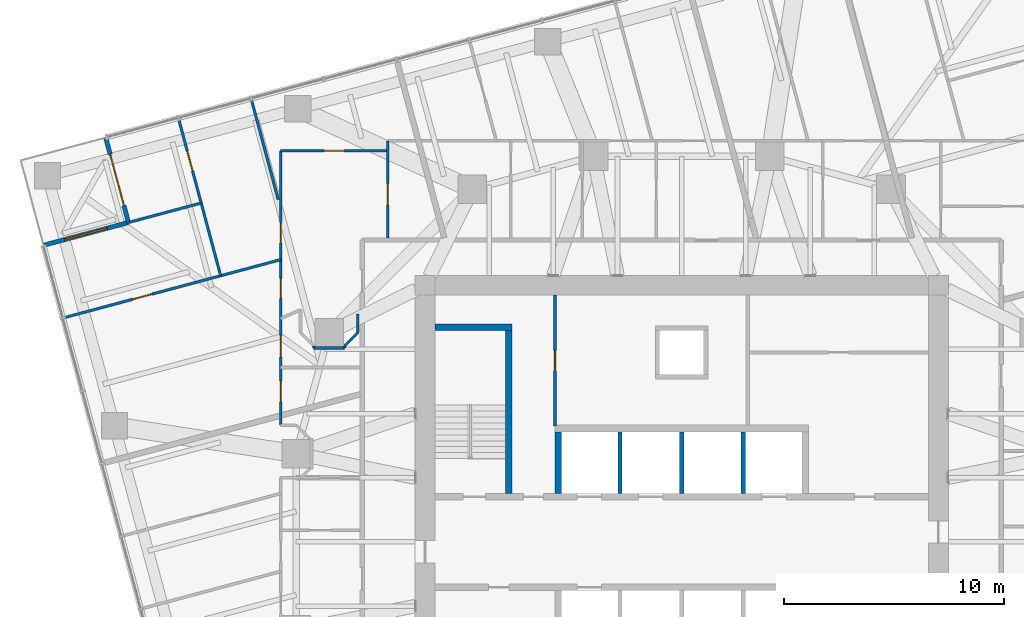
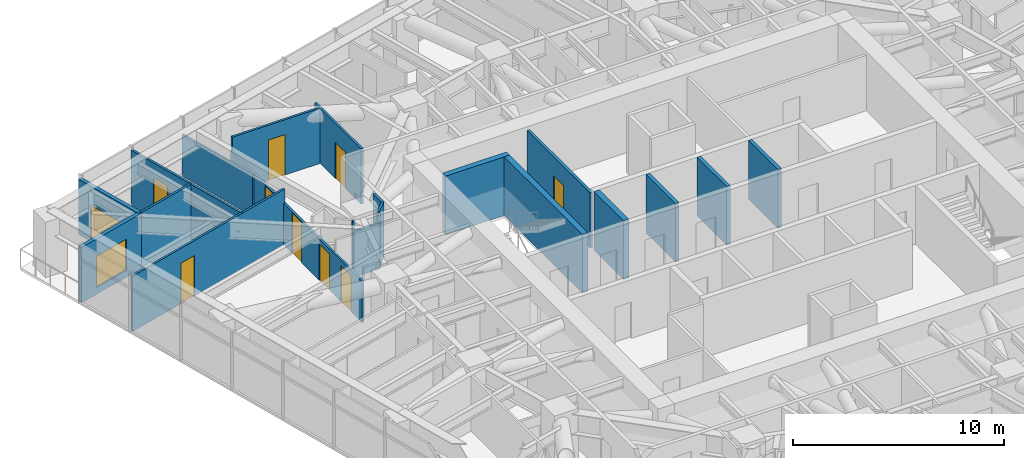
# One storey, part 14 of 18: 21 walls, 10 doors, 1 window, 11 openings.
"""IFC4 building model written with IfcOpenShell, lengths in metres."""

from ifc_helpers import new_model, si_unit, direction, frame, frame_2d, origin, place, context, subcontext, project, spatial, rectangle, extrude, material, layer, layer_set, type_object, element, fill, save


model = new_model("IFC4")

# Units and contexts
model_context = context("Model", 3, precision=1e-05, world=origin(), true_north=direction((0.0, 1.0)))
body_context = subcontext(model_context, "Body", "Model", "MODEL_VIEW")
ifc_project = project(units=[si_unit("LENGTHUNIT", "METRE"), si_unit("AREAUNIT", "SQUARE_METRE"), si_unit("VOLUMEUNIT", "CUBIC_METRE"), si_unit("PLANEANGLEUNIT", "RADIAN"), si_unit("MASSUNIT", "GRAM", prefix="KILO")], contexts=[model_context])

# Site, building, storey
site_placement = place(None, origin())
site = spatial("IfcSite", under=ifc_project, at=site_placement, CompositionType="ELEMENT")
building_placement = place(site_placement, origin())
building = spatial("IfcBuilding", under=site, at=building_placement, Name="Torsade Residences", CompositionType="ELEMENT")
storey_placement = place(building_placement, frame((0.0, 0.0, 135.39990234375)))
storey = spatial("IfcBuildingStorey", under=building, at=storey_placement, Name="L37", CompositionType="ELEMENT", Elevation=135.39990234375)

# Walls
ifc_material_1 = material(Name="Concrete 80 MPa", Category="concrete")
ifc_layer_1 = layer(ifc_material_1, 0.300048828125)
ifc_layer_set_1 = layer_set([ifc_layer_1], Name="Concrete 80 MPa")
wall_type_1 = type_object("IfcWallType", Name="CORE INTERNAL WALL 300", PredefinedType="SHEAR", material=ifc_layer_set_1)
wall_1_placement = place(storey_placement, frame((34.39990234375, 32.199951171875, 0.0), z_axis=(0.0, 0.0, 1.0), x_axis=(0.0, 1.0, 0.0)))
element("IfcWall", 1, at=wall_1_placement, inside=storey, type_object=wall_type_1, Name="Core wall DN0 L37", PredefinedType="SHEAR", context=body_context, shape_type="SweptSolid", body=[
    extrude(rectangle(XDim=2.800048828125, YDim=0.300048828125, at=frame_2d((1.39990234375, 0.0))), origin(), (0.0, 0.0, 1.0), 3.400146484375),
])
wall_2_placement = place(storey_placement, frame((32.14990234375, 32.199951171875, 0.0), z_axis=(0.0, 0.0, 1.0), x_axis=(0.0, 1.0, 0.0)))
element("IfcWall", 2, at=wall_2_placement, inside=storey, type_object=wall_type_1, Name="Core wall ST1E L37", PredefinedType="SHEAR", context=body_context, shape_type="SweptSolid", body=[
    extrude(rectangle(XDim=7.699951171875, YDim=0.300048828125, at=frame_2d((3.85009765625, 0.0))), origin(), (0.0, 0.0, 1.0), 3.400146484375),
])
wall_3_placement = place(storey_placement, frame((28.800048828125, 39.75, 0.0), z_axis=(0.0, 0.0, 1.0), x_axis=(1.0, 0.0, 0.0)))
element("IfcWall", 3, at=wall_3_placement, inside=storey, type_object=wall_type_1, Name="Core wall ST1N L37", PredefinedType="SHEAR", context=body_context, shape_type="SweptSolid", body=[
    extrude(rectangle(XDim=3.5, YDim=0.300048828125, at=frame_2d((1.75, 0.0))), origin(), (0.0, 0.0, 1.0), 3.400146484375),
])
ifc_material_2 = material(Name="Reinforced blockwork", Category="masonry")
ifc_layer_2 = layer(ifc_material_2, 0.199951171875)
ifc_layer_set_2 = layer_set([ifc_layer_2], Name="Reinforced blockwork")
wall_type_2 = type_object("IfcWallType", Name="LIFT SHAFT DIVIDING WALL 200", PredefinedType="SOLIDWALL", material=ifc_layer_set_2)
for number, where, z_axis, x_axis, name in (
    (4, (37.199951171875, 32.199951171875, 0.0), (0.0, 0.0, 1.0), (0.0, 1.0, 0.0), "Core wall DN1 L37"),
    (5, (40.0, 32.199951171875, 0.0), (0.0, 0.0, 1.0), (0.0, 1.0, 0.0), "Core wall DN2 L37"),
    (6, (42.800048828125, 32.199951171875, 0.0), (0.0, 0.0, 1.0), (0.0, 1.0, 0.0), "Core wall DN3 L37"),
):
    element("IfcWall", number, at=place(storey_placement, frame(where, z_axis=z_axis, x_axis=x_axis)), inside=storey, type_object=wall_type_2, Name=name, PredefinedType="SOLIDWALL", context=body_context, shape_type="SweptSolid", body=[
        extrude(rectangle(XDim=2.800048828125, YDim=0.199951171875, at=frame_2d((1.39990234375, 0.0))), origin(), (0.0, 0.0, 1.0), 3.400146484375),
    ])
ifc_material_3 = material(Name="Plasterboard on steel stud", Category="steel")
ifc_layer_3 = layer(ifc_material_3, 0.1201171875)
ifc_layer_set_3 = layer_set([ifc_layer_3], Name="Plasterboard on steel stud")
wall_type_3 = type_object("IfcWallType", Name="PARTITION 120", PredefinedType="PARTITIONING", material=ifc_layer_set_3)
wall_4_placement = place(storey_placement, frame((25.300048828125, 40.335205078125, 0.0), z_axis=(0.0, 0.0, 1.0), x_axis=(0.0, -1.0, 0.0)))
element("IfcWall", 7, at=wall_4_placement, inside=storey, type_object=wall_type_3, Name="Partition L37", PredefinedType="PARTITIONING", context=body_context, shape_type="SweptSolid", body=[
    extrude(rectangle(XDim=0.835205078125, YDim=0.1201171875, at=frame_2d((0.41748046875, 0.0))), origin(), (0.0, 0.0, 1.0), 3.2001953125),
])
wall_5_placement = place(storey_placement, frame((25.300048828125, 39.5, 0.0), z_axis=(0.0, 0.0, 1.0), x_axis=(-0.707106781187, -0.707106781187, 0.0)))
element("IfcWall", 8, at=wall_5_placement, inside=storey, type_object=wall_type_3, Name="Partition L37", PredefinedType="PARTITIONING", context=body_context, shape_type="SweptSolid", body=[
    extrude(rectangle(XDim=0.8486328125, YDim=0.1201171875, at=frame_2d((0.42431640625, 0.0))), origin(), (0.0, 0.0, 1.0), 3.2001953125),
])
wall_6_placement = place(storey_placement, frame((24.699951171875, 38.800048828125, 0.0), z_axis=(0.0, 0.0, 1.0), x_axis=(-1.0, 0.0, 0.0)))
element("IfcWall", 9, at=wall_6_placement, inside=storey, type_object=wall_type_3, Name="Partition L37", PredefinedType="PARTITIONING", context=body_context, shape_type="SweptSolid", body=[
    extrude(rectangle(XDim=1.39990234375, YDim=0.1201171875, at=frame_2d((0.699951171875, 0.0))), origin(), (0.0, 0.0, 1.0), 2.672119140625),
])

# Wall, openings, doors
wall_7_placement = place(storey_placement, frame((21.800048828125, 35.300048828125, 0.0), z_axis=(0.0, 0.0, 1.0), x_axis=(0.0, 1.0, 0.0)))
wall_7 = element("IfcWall", 10, at=wall_7_placement, inside=storey, type_object=wall_type_3, Name="Partition L37", PredefinedType="PARTITIONING", context=body_context, shape_type="SweptSolid", body=[
    extrude(rectangle(XDim=12.449951171875, YDim=0.1201171875, at=frame_2d((6.22509765625, 0.0))), origin(), (0.0, 0.0, 1.0), 2.399169921875),
])
opening_1_placement = place(wall_7_placement, frame((5.73828125, 0.0, 0.0)))
opening_1 = element("IfcOpeningElement", 11, at=opening_1_placement, cuts=wall_7, Name="Opening D02", PredefinedType="OPENING", context=body_context, shape_type="SweptSolid", body=[
    extrude(rectangle(XDim=0.919921875, YDim=2.340087890625, at=frame_2d((0.4599609375, 1.169921875))), frame((0.0, 0.070068359375, 0.0), z_axis=(0.0, -1.0, 0.0), x_axis=(1.0, 0.0, 0.0)), (0.0, 0.0, 1.0), 0.14013671875),
])
opening_2_placement = place(wall_7_placement, frame((8.275146484375, 0.0, 0.0)))
opening_2 = element("IfcOpeningElement", 12, at=opening_2_placement, cuts=wall_7, Name="Opening D02", PredefinedType="OPENING", context=body_context, shape_type="SweptSolid", body=[
    extrude(rectangle(XDim=0.919921875, YDim=2.340087890625, at=frame_2d((0.4599609375, 1.169921875))), frame((0.0, 0.070068359375, 0.0), z_axis=(0.0, -1.0, 0.0), x_axis=(1.0, 0.0, 0.0)), (0.0, 0.0, 1.0), 0.14013671875),
])
opening_3_placement = place(wall_7_placement, frame((3.0966796875, 0.0, 0.0)))
opening_3 = element("IfcOpeningElement", 13, at=opening_3_placement, cuts=wall_7, Name="Opening D05", PredefinedType="OPENING", context=body_context, shape_type="SweptSolid", body=[
    extrude(rectangle(XDim=0.9599609375, YDim=2.10009765625, at=frame_2d((0.47998046875, 1.050048828125))), frame((0.0, 0.070068359375, 0.0), z_axis=(0.0, -1.0, 0.0), x_axis=(1.0, 0.0, 0.0)), (0.0, 0.0, 1.0), 0.14013671875),
])
opening_4_placement = place(wall_7_placement, frame((1.046630859375, 0.0, 0.0)))
opening_4 = element("IfcOpeningElement", 14, at=opening_4_placement, cuts=wall_7, Name="Opening D05", PredefinedType="OPENING", context=body_context, shape_type="SweptSolid", body=[
    extrude(rectangle(XDim=0.9599609375, YDim=2.10009765625, at=frame_2d((0.47998046875, 1.050048828125))), frame((0.0, 0.070068359375, 0.0), z_axis=(0.0, -1.0, 0.0), x_axis=(1.0, 0.0, 0.0)), (0.0, 0.0, 1.0), 0.14013671875),
])
ifc_material_4 = material(Name="Hollow-core timber door in a steel cavity frame", Category="steel")
door_type_1 = type_object("IfcDoorType", Name="BATHROOM CAVITY SLIDING DOOR 960", OperationType="SLIDING_TO_LEFT", PredefinedType="DOOR", material=ifc_material_4)
door_1_placement = place(opening_3_placement, origin())
door_1 = element("IfcDoor", 15, at=door_1_placement, inside=storey, type_object=door_type_1, Name="Door Living room to Ensuite", OperationType="SLIDING_TO_LEFT", OverallHeight=2.10009765625, OverallWidth=0.9599609375, PredefinedType="DOOR", context=body_context, shape_type="SweptSolid", body=[
    extrude(rectangle(XDim=0.9599609375, YDim=2.10009765625, at=frame_2d((0.47998046875, 1.050048828125))), frame((0.0, 0.02490234375, 0.0), z_axis=(0.0, -1.0, 0.0), x_axis=(1.0, 0.0, 0.0)), (0.0, 0.0, 1.0), 0.050048828125),
])
fill(opening_3, door_1)
door_2_placement = place(opening_4_placement, origin())
door_2 = element("IfcDoor", 16, at=door_2_placement, inside=storey, type_object=door_type_1, Name="Door Living room to Laundry", OperationType="SLIDING_TO_LEFT", OverallHeight=2.10009765625, OverallWidth=0.9599609375, PredefinedType="DOOR", context=body_context, shape_type="SweptSolid", body=[
    extrude(rectangle(XDim=0.9599609375, YDim=2.10009765625, at=frame_2d((0.47998046875, 1.050048828125))), frame((0.0, 0.02490234375, 0.0), z_axis=(0.0, -1.0, 0.0), x_axis=(1.0, 0.0, 0.0)), (0.0, 0.0, 1.0), 0.050048828125),
])
fill(opening_4, door_2)
ifc_material_5 = material(Name="Hollow-core timber door", Category="wood")
door_type_2 = type_object("IfcDoorType", Name="INTERNAL DOOR 920x2340", OperationType="NOTDEFINED", PredefinedType="DOOR", material=ifc_material_5)
door_3_placement = place(opening_1_placement, origin())
door_3 = element("IfcDoor", 17, at=door_3_placement, inside=storey, type_object=door_type_2, Name="Door Kitchen and dining to Living room", OperationType="SINGLE_SWING_RIGHT", OverallHeight=2.340087890625, OverallWidth=0.919921875, PredefinedType="DOOR", context=body_context, shape_type="SweptSolid", body=[
    extrude(rectangle(XDim=0.919921875, YDim=2.340087890625, at=frame_2d((0.4599609375, 1.169921875))), frame((0.0, 0.02490234375, 0.0), z_axis=(0.0, -1.0, 0.0), x_axis=(1.0, 0.0, 0.0)), (0.0, 0.0, 1.0), 0.050048828125),
])
fill(opening_1, door_3)
door_4_placement = place(opening_2_placement, origin())
door_4 = element("IfcDoor", 18, at=door_4_placement, inside=storey, type_object=door_type_2, Name="Door Kitchen and dining to Bedroom 2", OperationType="SINGLE_SWING_LEFT", OverallHeight=2.340087890625, OverallWidth=0.919921875, PredefinedType="DOOR", context=body_context, shape_type="SweptSolid", body=[
    extrude(rectangle(XDim=0.919921875, YDim=2.340087890625, at=frame_2d((0.4599609375, 1.169921875))), frame((0.0, 0.02490234375, 0.0), z_axis=(0.0, -1.0, 0.0), x_axis=(1.0, 0.0, 0.0)), (0.0, 0.0, 1.0), 0.050048828125),
])
fill(opening_2, door_4)

# Wall, opening, door
wall_8_placement = place(storey_placement, frame((21.800048828125, 47.75, 0.0), z_axis=(0.0, 0.0, 1.0), x_axis=(1.0, 0.0, 0.0)))
wall_8 = element("IfcWall", 19, at=wall_8_placement, inside=storey, type_object=wall_type_3, Name="Partition L37", PredefinedType="PARTITIONING", context=body_context, shape_type="SweptSolid", body=[
    extrude(rectangle(XDim=4.856689453125, YDim=0.1201171875, at=frame_2d((2.42822265625, 0.0))), origin(), (0.0, 0.0, 1.0), 3.2001953125),
])
opening_5_placement = place(wall_8_placement, frame((1.968505859375, 0.0, 0.0)))
opening_5 = element("IfcOpeningElement", 20, at=opening_5_placement, cuts=wall_8, Name="Opening D02", PredefinedType="OPENING", context=body_context, shape_type="SweptSolid", body=[
    extrude(rectangle(XDim=0.919921875, YDim=2.340087890625, at=frame_2d((0.4599609375, 1.169921875))), frame((0.0, 0.070068359375, 0.0), z_axis=(0.0, -1.0, 0.0), x_axis=(1.0, 0.0, 0.0)), (0.0, 0.0, 1.0), 0.14013671875),
])
door_5_placement = place(opening_5_placement, origin())
door_5 = element("IfcDoor", 21, at=door_5_placement, inside=storey, type_object=door_type_2, Name="Door Kitchen and dining to Bedroom 3", OperationType="SINGLE_SWING_RIGHT", OverallHeight=2.340087890625, OverallWidth=0.919921875, PredefinedType="DOOR", context=body_context, shape_type="SweptSolid", body=[
    extrude(rectangle(XDim=0.919921875, YDim=2.340087890625, at=frame_2d((0.4599609375, 1.169921875))), frame((0.0, 0.02490234375, 0.0), z_axis=(0.0, -1.0, 0.0), x_axis=(1.0, 0.0, 0.0)), (0.0, 0.0, 1.0), 0.050048828125),
])
fill(opening_5, door_5)

wall_9_placement = place(storey_placement, frame((11.951904296875, 40.17041015625, 0.0), z_axis=(0.0, 0.0, 1.0), x_axis=(0.965923039694, 0.258829444594, 0.0)))
wall_9 = element("IfcWall", 22, at=wall_9_placement, inside=storey, type_object=wall_type_3, Name="Partition L37", PredefinedType="PARTITIONING", context=body_context, shape_type="SweptSolid", body=[
    extrude(rectangle(XDim=10.195556640625, YDim=0.1201171875, at=frame_2d((5.09765625, 0.0))), origin(), (0.0, 0.0, 1.0), 3.2001953125),
])
opening_6_placement = place(wall_9_placement, frame((3.2333984375, 0.0, 0.0)))
opening_6 = element("IfcOpeningElement", 23, at=opening_6_placement, cuts=wall_9, Name="Opening D02", PredefinedType="OPENING", context=body_context, shape_type="SweptSolid", body=[
    extrude(rectangle(XDim=0.919921875, YDim=2.340087890625, at=frame_2d((0.4599609375, 1.169921875))), frame((0.0, 0.070068359375, 0.0), z_axis=(0.0, -1.0, 0.0), x_axis=(1.0, 0.0, 0.0)), (0.0, 0.0, 1.0), 0.14013671875),
])
door_6_placement = place(opening_6_placement, origin())
door_6 = element("IfcDoor", 24, at=door_6_placement, inside=storey, type_object=door_type_2, Name="Door Living room to Bedroom 1", OperationType="SINGLE_SWING_LEFT", OverallHeight=2.340087890625, OverallWidth=0.919921875, PredefinedType="DOOR", context=body_context, shape_type="SweptSolid", body=[
    extrude(rectangle(XDim=0.919921875, YDim=2.340087890625, at=frame_2d((0.4599609375, 1.169921875))), frame((0.0, 0.02490234375, 0.0), z_axis=(0.0, -1.0, 0.0), x_axis=(1.0, 0.0, 0.0)), (0.0, 0.0, 1.0), 0.050048828125),
])
fill(opening_6, door_6)

wall_10_placement = place(storey_placement, frame((17.16796875, 49.205078125, 0.0), z_axis=(0.0, 0.0, 1.0), x_axis=(0.258846923464, -0.965918355874, 0.0)))
wall_10 = element("IfcWall", 25, at=wall_10_placement, inside=storey, type_object=wall_type_3, Name="Partition L37", PredefinedType="PARTITIONING", context=body_context, shape_type="SweptSolid", body=[
    extrude(rectangle(XDim=7.376708984375, YDim=0.1201171875, at=frame_2d((3.6884765625, 0.0))), origin(), (0.0, 0.0, 1.0), 3.2001953125),
])
opening_7_placement = place(wall_10_placement, frame((1.52490234375, 0.0, 0.0)))
opening_7 = element("IfcOpeningElement", 26, at=opening_7_placement, cuts=wall_10, Name="Opening D02", PredefinedType="OPENING", context=body_context, shape_type="SweptSolid", body=[
    extrude(rectangle(XDim=0.919921875, YDim=2.340087890625, at=frame_2d((0.4599609375, 1.169921875))), frame((0.0, 0.070068359375, 0.0), z_axis=(0.0, -1.0, 0.0), x_axis=(1.0, 0.0, 0.0)), (0.0, 0.0, 1.0), 0.14013671875),
])
door_7_placement = place(opening_7_placement, origin())
door_7 = element("IfcDoor", 27, at=door_7_placement, inside=storey, type_object=door_type_2, Name="Door Bedroom 2 to Study", OperationType="SINGLE_SWING_RIGHT", OverallHeight=2.340087890625, OverallWidth=0.919921875, PredefinedType="DOOR", context=body_context, shape_type="SweptSolid", body=[
    extrude(rectangle(XDim=0.919921875, YDim=2.340087890625, at=frame_2d((0.4599609375, 1.169921875))), frame((0.0, 0.02490234375, 0.0), z_axis=(0.0, -1.0, 0.0), x_axis=(1.0, 0.0, 0.0)), (0.0, 0.0, 1.0), 0.050048828125),
])
fill(opening_7, door_7)

# Walls
wall_11_placement = place(storey_placement, frame((14.931396484375, 44.506103515625, 0.0), z_axis=(0.0, 0.0, 1.0), x_axis=(0.96593546512, 0.258783069815, 0.0)))
element("IfcWall", 28, at=wall_11_placement, inside=storey, type_object=wall_type_3, Name="Partition L37", PredefinedType="PARTITIONING", context=body_context, shape_type="SweptSolid", body=[
    extrude(rectangle(XDim=3.37646484375, YDim=0.1201171875, at=frame_2d((1.688232421875, 0.0))), origin(), (0.0, 0.0, 1.0), 3.2001953125),
])
wall_12_placement = place(storey_placement, frame((20.46826171875, 50.08935546875, 0.0), z_axis=(0.0, 0.0, 1.0), x_axis=(0.258808471399, -0.965928659442, 0.0)))
element("IfcWall", 29, at=wall_12_placement, inside=storey, type_object=wall_type_3, Name="Partition L37", PredefinedType="PARTITIONING", context=body_context, shape_type="SweptSolid", body=[
    extrude(rectangle(XDim=4.720458984375, YDim=0.1201171875, at=frame_2d((2.3603515625, 0.0))), origin(), (0.0, 0.0, 1.0), 2.399169921875),
])

# Wall, opening, door
wall_13_placement = place(storey_placement, frame((26.65673828125, 48.199951171875, 0.0), z_axis=(0.0, 0.0, 1.0), x_axis=(0.0, -1.0, 0.0)))
wall_13 = element("IfcWall", 30, at=wall_13_placement, inside=storey, type_object=wall_type_3, Name="Partition L37", PredefinedType="PARTITIONING", context=body_context, shape_type="SweptSolid", body=[
    extrude(rectangle(XDim=4.39990234375, YDim=0.1201171875, at=frame_2d((2.199951171875, 0.0))), origin(), (0.0, 0.0, 1.0), 3.2001953125),
])
opening_8_placement = place(wall_13_placement, frame((1.945068359375, 0.0, 0.0)))
opening_8 = element("IfcOpeningElement", 31, at=opening_8_placement, cuts=wall_13, Name="Opening D05", PredefinedType="OPENING", context=body_context, shape_type="SweptSolid", body=[
    extrude(rectangle(XDim=0.9599609375, YDim=2.10009765625, at=frame_2d((0.47998046875, 1.050048828125))), frame((0.0, 0.070068359375, 0.0), z_axis=(0.0, -1.0, 0.0), x_axis=(1.0, 0.0, 0.0)), (0.0, 0.0, 1.0), 0.14013671875),
])
door_8_placement = place(opening_8_placement, origin())
door_8 = element("IfcDoor", 32, at=door_8_placement, inside=storey, type_object=door_type_1, Name="Door Kitchen and dining to Bathroom", OperationType="SLIDING_TO_LEFT", OverallHeight=2.10009765625, OverallWidth=0.9599609375, PredefinedType="DOOR", context=body_context, shape_type="SweptSolid", body=[
    extrude(rectangle(XDim=0.9599609375, YDim=2.10009765625, at=frame_2d((0.47998046875, 1.050048828125))), frame((0.0, 0.02490234375, 0.0), z_axis=(0.0, -1.0, 0.0), x_axis=(1.0, 0.0, 0.0)), (0.0, 0.0, 1.0), 0.050048828125),
])
fill(opening_8, door_8)

# Walls
for number, where, z_axis, x_axis, name in (
    (33, (24.699951171875, 38.800048828125, 0.0), (0.0, 0.0, 1.0), (0.0, 1.0, 0.0), "Partition L37"),
    (34, (23.300048828125, 38.800048828125, 0.0), (0.0, 0.0, 1.0), (0.0, 1.0, 0.0), "Partition L37"),
):
    element("IfcWall", number, at=place(storey_placement, frame(where, z_axis=z_axis, x_axis=x_axis)), inside=storey, type_object=wall_type_3, Name=name, PredefinedType="PARTITIONING", context=body_context, shape_type="SweptSolid", body=[
        extrude(rectangle(XDim=0.099853515625, YDim=0.1201171875, at=frame_2d((0.0498046875, 0.0))), origin(), (0.0, 0.0, 1.0), 3.2001953125),
    ])

# Wall, opening, door
ifc_material_6 = material(Name="Reinforced blockwork", Category="masonry")
ifc_layer_4 = layer(ifc_material_6, 0.14990234375)
ifc_layer_set_4 = layer_set([ifc_layer_4], Name="Reinforced blockwork")
wall_type_4 = type_object("IfcWallType", Name="SERVICE ROOM WALL 150", PredefinedType="SOLIDWALL", material=ifc_layer_set_4)
wall_14_placement = place(storey_placement, frame((34.25, 41.199951171875, 0.0), z_axis=(0.0, 0.0, 1.0), x_axis=(0.0, -1.0, 0.0)))
wall_14 = element("IfcWall", 35, at=wall_14_placement, inside=storey, type_object=wall_type_4, Name="Service room wall L37", PredefinedType="SOLIDWALL", context=body_context, shape_type="SweptSolid", body=[
    extrude(rectangle(XDim=5.949951171875, YDim=0.14990234375, at=frame_2d((2.97509765625, 0.0))), origin(), (0.0, 0.0, 1.0), 3.2001953125),
])
opening_9_placement = place(wall_14_placement, frame((2.514892578125, 0.0, 0.0)))
opening_9 = element("IfcOpeningElement", 36, at=opening_9_placement, cuts=wall_14, Name="Opening D06", PredefinedType="OPENING", context=body_context, shape_type="SweptSolid", body=[
    extrude(rectangle(XDim=0.919921875, YDim=2.10009765625, at=frame_2d((0.4599609375, 1.050048828125))), frame((0.0, 0.0849609375, 0.0), z_axis=(0.0, -1.0, 0.0), x_axis=(1.0, 0.0, 0.0)), (0.0, 0.0, 1.0), 0.169921875),
])
ifc_material_7 = material(Name="Steel-framed fire door", Category="steel")
door_type_3 = type_object("IfcDoorType", Name="FIRE DOOR 920", OperationType="NOTDEFINED", PredefinedType="DOOR", material=ifc_material_7)
door_9_placement = place(opening_9_placement, origin())
door_9 = element("IfcDoor", 37, at=door_9_placement, inside=storey, type_object=door_type_3, Name="Door Meter store to Electrical riser room", OperationType="SINGLE_SWING_LEFT", OverallHeight=2.10009765625, OverallWidth=0.919921875, PredefinedType="DOOR", context=body_context, shape_type="SweptSolid", body=[
    extrude(rectangle(XDim=0.919921875, YDim=2.10009765625, at=frame_2d((0.4599609375, 1.050048828125))), frame((0.0, 0.02490234375, 0.0), z_axis=(0.0, -1.0, 0.0), x_axis=(1.0, 0.0, 0.0)), (0.0, 0.0, 1.0), 0.050048828125),
])
fill(opening_9, door_9)

ifc_material_8 = material(Name="Stone-faced precast concrete 40 MPa panel", Category="masonry")
ifc_layer_5 = layer(ifc_material_8, 0.199951171875)
ifc_layer_set_5 = layer_set([ifc_layer_5], Name="Stone-faced precast concrete 40 MPa panel")
wall_type_5 = type_object("IfcWallType", Name="TERRACE WALL 200", PredefinedType="SOLIDWALL", material=ifc_layer_set_5)
wall_15_placement = place(storey_placement, frame((13.857421875, 48.359375, 0.0), z_axis=(0.0, 0.0, 1.0), x_axis=(0.258843877716, -0.965919172068, 0.0)))
wall_15 = element("IfcWall", 38, at=wall_15_placement, inside=storey, type_object=wall_type_5, Name="Terrace wall L37 8", PredefinedType="SOLIDWALL", context=body_context, shape_type="SweptSolid", body=[
    extrude(rectangle(XDim=4.0, YDim=0.199951171875, at=frame_2d((2.0, 0.0))), origin(), (0.0, 0.0, 1.0), 3.2001953125),
])
opening_10_placement = place(wall_15_placement, frame((0.800048828125, 0.0, 0.0)))
opening_10 = element("IfcOpeningElement", 39, at=opening_10_placement, cuts=wall_15, Name="Opening D10A", PredefinedType="OPENING", context=body_context, shape_type="SweptSolid", body=[
    extrude(rectangle(XDim=2.39990234375, YDim=2.10009765625, at=frame_2d((1.199951171875, 1.050048828125))), frame((0.0, 0.10986328125, 0.0), z_axis=(0.0, -1.0, 0.0), x_axis=(1.0, 0.0, 0.0)), (0.0, 0.0, 1.0), 0.219970703125),
])
ifc_material_9 = material(Name="Aluminium-framed glass door", Category="aluminium")
door_type_4 = type_object("IfcDoorType", Name="TERRACE SLIDING DOOR 2400x2100", OperationType="SLIDING_TO_LEFT", PredefinedType="DOOR", material=ifc_material_9)
door_10_placement = place(opening_10_placement, origin())
door_10 = element("IfcDoor", 40, at=door_10_placement, inside=storey, type_object=door_type_4, Name="Terrace door L37 8", OperationType="SLIDING_TO_LEFT", OverallHeight=2.10009765625, OverallWidth=2.39990234375, PredefinedType="DOOR", context=body_context, shape_type="SweptSolid", body=[
    extrude(rectangle(XDim=2.39990234375, YDim=2.10009765625, at=frame_2d((1.199951171875, 1.050048828125))), frame((0.0, 0.02490234375, 0.0), z_axis=(0.0, -1.0, 0.0), x_axis=(1.0, 0.0, 0.0)), (0.0, 0.0, 1.0), 0.050048828125),
])
fill(opening_10, door_10)

# Wall, opening, window
wall_16_placement = place(storey_placement, frame((14.892822265625, 44.49560546875, 0.0), z_axis=(0.0, 0.0, 1.0), x_axis=(-0.965934430412, -0.258786931944, 0.0)))
wall_16 = element("IfcWall", 41, at=wall_16_placement, inside=storey, type_object=wall_type_5, Name="Terrace wall L37 9", PredefinedType="SOLIDWALL", context=body_context, shape_type="SweptSolid", body=[
    extrude(rectangle(XDim=4.0, YDim=0.199951171875, at=frame_2d((2.0, 0.0))), origin(), (0.0, 0.0, 1.0), 3.2001953125),
])
opening_11_placement = place(wall_16_placement, frame((1.0, 0.0, 0.39990234375)))
opening_11 = element("IfcOpeningElement", 42, at=opening_11_placement, cuts=wall_16, Name="Opening W1B", PredefinedType="OPENING", context=body_context, shape_type="SweptSolid", body=[
    extrude(rectangle(XDim=2.0, YDim=1.800048828125, at=frame_2d((1.0, 0.89990234375))), frame((0.0, 0.10986328125, 0.0), z_axis=(0.0, -1.0, 0.0), x_axis=(1.0, 0.0, 0.0)), (0.0, 0.0, 1.0), 0.219970703125),
])
ifc_material_10 = material(Name="Aluminium-framed glass window", Category="aluminium")
window_type = type_object("IfcWindowType", Name="TERRACE WINDOW 2000x1800", PartitioningType="SINGLE_PANEL", PredefinedType="WINDOW", material=ifc_material_10)
window_placement = place(opening_11_placement, origin())
window = element("IfcWindow", 43, at=window_placement, inside=storey, type_object=window_type, Name="Terrace window L37 9", OverallHeight=1.800048828125, OverallWidth=2.0, PartitioningType="SINGLE_PANEL", PredefinedType="WINDOW", context=body_context, shape_type="SweptSolid", body=[
    extrude(rectangle(XDim=2.0, YDim=1.800048828125, at=frame_2d((1.0, 0.89990234375))), frame((0.0, 0.030029296875, 0.0), z_axis=(0.0, -1.0, 0.0), x_axis=(1.0, 0.0, 0.0)), (0.0, 0.0, 1.0), 0.06005859375),
])
fill(opening_11, window)

save(model, "model.ifc")
